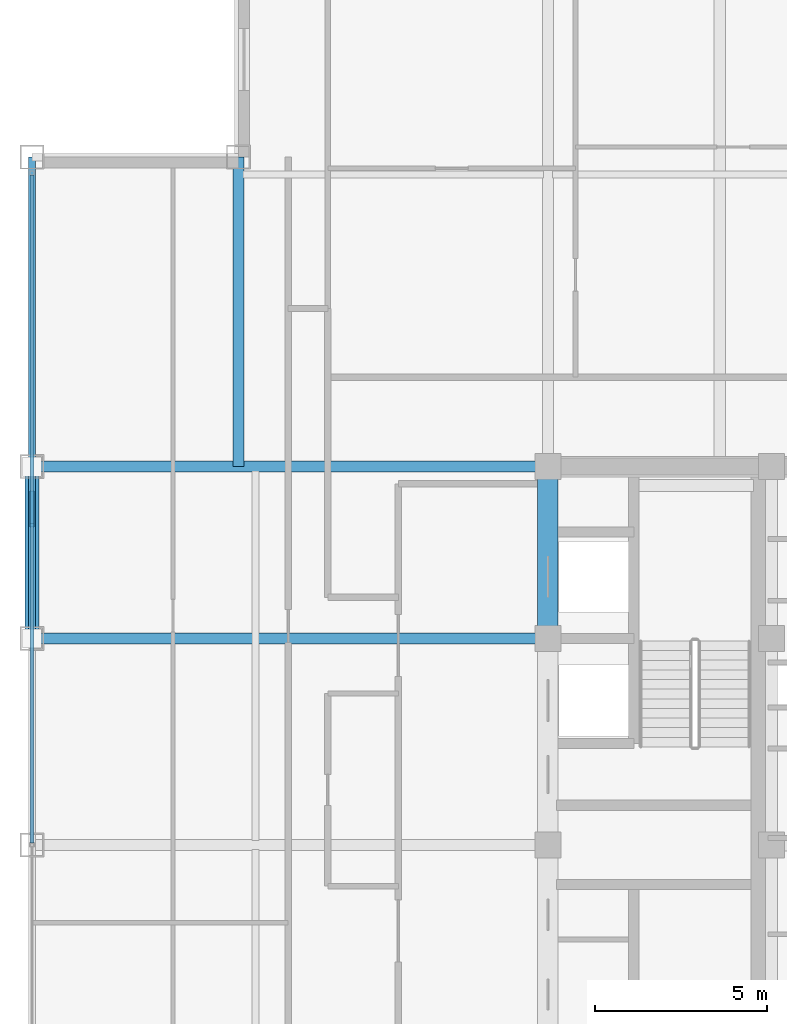
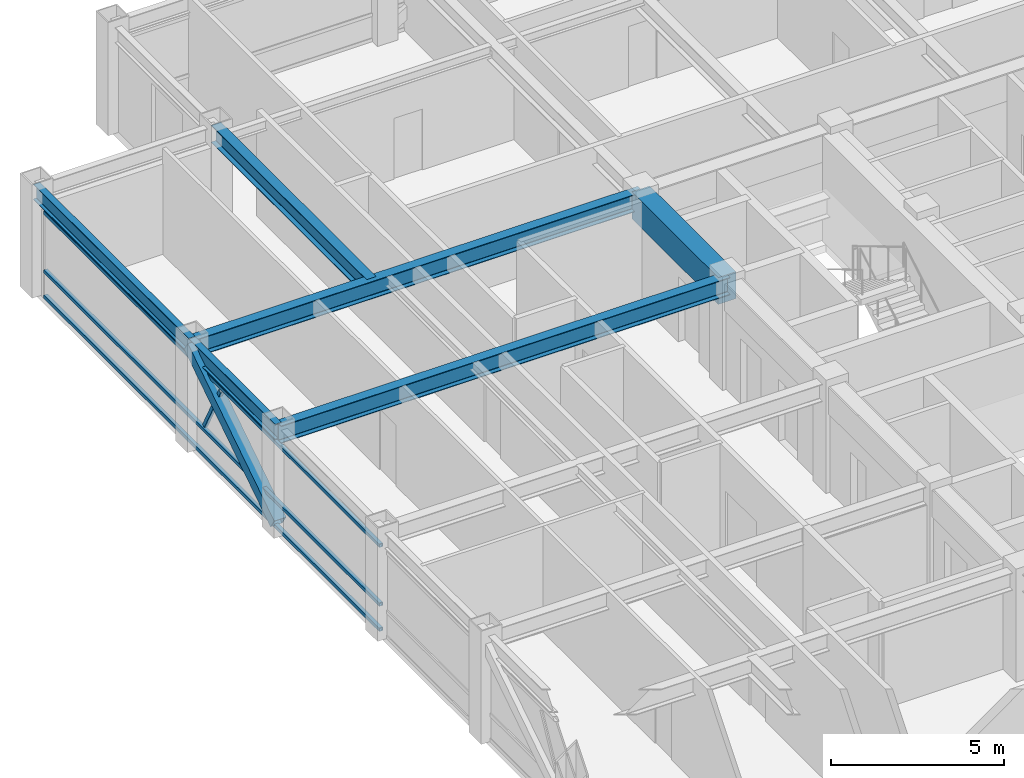
# One storey, part 13 of 29: 6 beams, 5 members, 1 element without a shape of its own.
"""IFC4 building model written with IfcOpenShell, lengths in metres."""

from ifc_helpers import new_model, si_unit, direction, frame, origin, origin_2d, place, context, subcontext, project, spatial, rectangle, hollow_rectangle, i_section, extrude, source, transform, mapped, material, material_profile, profile_set, type_object, element, aggregate, save


model = new_model("IFC4")

# Units and contexts
model_context = context("Model", 3, precision=1e-05, world=origin(), true_north=direction((0.0, 1.0)))
body_context = subcontext(model_context, "Body", "Model", "MODEL_VIEW")
ifc_project = project(units=[si_unit("LENGTHUNIT", "METRE"), si_unit("AREAUNIT", "SQUARE_METRE"), si_unit("VOLUMEUNIT", "CUBIC_METRE"), si_unit("PLANEANGLEUNIT", "RADIAN"), si_unit("MASSUNIT", "GRAM", prefix="KILO")], contexts=[model_context])

# Site, building, storey
site_placement = place(None, origin())
site = spatial("IfcSite", under=ifc_project, at=site_placement, CompositionType="ELEMENT")
building_placement = place(site_placement, origin())
building = spatial("IfcBuilding", under=site, at=building_placement, Name="Khorayat Bourse Tower", CompositionType="ELEMENT")
storey_placement = place(building_placement, frame((0.0, 0.0, 366.300048828125)))
storey = spatial("IfcBuildingStorey", under=building, at=storey_placement, Name="L87", CompositionType="ELEMENT", Elevation=366.300048828125)

# Beams
ifc_material_1 = material(Name="Concrete C60/75", Category="concrete")
ifc_material_profile_1 = material_profile(ifc_material_1, rectangle(XDim=0.60009765625, YDim=0.949951171875, at=origin_2d()), Name="RC 600x950")
ifc_profile_set_1 = profile_set([ifc_material_profile_1], Name="Concrete C60/75")
beam_type_1 = type_object("IfcBeamType", Name="BM-COUP-950", PredefinedType="BEAM", material=ifc_profile_set_1)
shared_shape_1 = source(origin(), body_context, "Body", "SweptSolid", [
    extrude(rectangle(XDim=0.60009765625, YDim=0.949951171875, at=origin_2d()), origin(), (0.0, 0.0, 1.0), 5.0),
])
beam_1_placement = place(storey_placement, frame((-11.0, 6.0, 3.264892578125), z_axis=(0.0, 1.0, 0.0), x_axis=(-1.0, 0.0, 0.0)))
element("IfcBeam", 1, at=beam_1_placement, inside=storey, type_object=beam_type_1, Name="L87 BM-COUP-950 BM-L87-CRX-04", PredefinedType="BEAM", context=body_context, shape_type="MappedRepresentation", body=[
    mapped(shared_shape_1, transform((0.0, 0.0, 0.0), scale=1.0)),
])
ifc_material_2 = material(Name="Steel ASTM A992 Grade 50", Category="steel")
ifc_material_profile_2 = material_profile(ifc_material_2, i_section(OverallWidth=0.214111328125, OverallDepth=0.549072265625, WebThickness=0.0146484375, FlangeThickness=0.023681640625, FilletRadius=0.013916015625, at=origin_2d()), Name="W530X138")
ifc_profile_set_2 = profile_set([ifc_material_profile_2], Name="Steel ASTM A992 Grade 50")
beam_type_2 = type_object("IfcBeamType", Name="BM-SPAN-530", PredefinedType="SPANDREL", material=ifc_profile_set_2)
shared_shape_2 = source(origin(), body_context, "Body", "SweptSolid", [
    extrude(i_section(OverallWidth=0.214111328125, OverallDepth=0.549072265625, WebThickness=0.0146484375, FlangeThickness=0.023681640625, FilletRadius=0.013916015625, at=origin_2d()), origin(), (0.0, 0.0, 1.0), 9.0),
])
beam_2_placement = place(storey_placement, frame((-26.0, 11.0, 3.46533203125), z_axis=(0.0, 1.0, 0.0), x_axis=(-1.0, 0.0, 0.0)))
element("IfcBeam", 2, at=beam_2_placement, inside=storey, type_object=beam_type_2, Name="L87 BM-SPAN-530 BM-L87-SPN-048", PredefinedType="SPANDREL", context=body_context, shape_type="MappedRepresentation", body=[
    mapped(shared_shape_2, transform((0.0, 0.0, 0.0), scale=1.0)),
])
shared_shape_3 = source(origin(), body_context, "Body", "SweptSolid", [
    extrude(i_section(OverallWidth=0.214111328125, OverallDepth=0.549072265625, WebThickness=0.0146484375, FlangeThickness=0.023681640625, FilletRadius=0.013916015625, at=origin_2d()), origin(), (0.0, 0.0, 1.0), 5.0),
])
beam_3_placement = place(storey_placement, frame((-26.0, 6.0, 3.46533203125), z_axis=(0.0, 1.0, 0.0), x_axis=(-1.0, 0.0, 0.0)))
element("IfcBeam", 3, at=beam_3_placement, inside=storey, type_object=beam_type_2, Name="L87 BM-SPAN-530 BM-L87-SPN-049", PredefinedType="SPANDREL", context=body_context, shape_type="MappedRepresentation", body=[
    mapped(shared_shape_3, transform((0.0, 0.0, 0.0), scale=1.0)),
])
ifc_material_profile_3 = material_profile(ifc_material_2, i_section(OverallWidth=0.324951171875, OverallDepth=0.615966796875, WebThickness=0.013916015625, FlangeThickness=0.021484375, FilletRadius=0.01611328125, at=origin_2d()), Name="W610X174")
ifc_profile_set_3 = profile_set([ifc_material_profile_3], Name="Steel ASTM A992 Grade 50")
beam_type_3 = type_object("IfcBeamType", Name="BM-GIRD-610", PredefinedType="BEAM", material=ifc_profile_set_3)
shared_shape_4 = source(origin(), body_context, "Body", "SweptSolid", [
    extrude(i_section(OverallWidth=0.324951171875, OverallDepth=0.615966796875, WebThickness=0.013916015625, FlangeThickness=0.021484375, FilletRadius=0.01611328125, at=origin_2d()), origin(), (0.0, 0.0, 1.0), 15.0),
])
for number, where, z_axis, x_axis, name in (
    (4, (-26.0, 6.0, 3.431884765625), (1.0, 0.0, 0.0), (0.0, 1.0, 0.0), "L87 BM-GIRD-610 BM-L87-RADX-073"),
    (5, (-26.0, 11.0, 3.431884765625), (1.0, 0.0, 0.0), (0.0, 1.0, 0.0), "L87 BM-GIRD-610 BM-L87-RADX-075"),
):
    element("IfcBeam", number, at=place(storey_placement, frame(where, z_axis=z_axis, x_axis=x_axis)), inside=storey, type_object=beam_type_3, Name=name, PredefinedType="BEAM", context=body_context, shape_type="MappedRepresentation", body=[
        mapped(shared_shape_4, transform((0.0, 0.0, 0.0), scale=1.0)),
    ])
shared_shape_5 = source(origin(), body_context, "Body", "SweptSolid", [
    extrude(i_section(OverallWidth=0.324951171875, OverallDepth=0.615966796875, WebThickness=0.013916015625, FlangeThickness=0.021484375, FilletRadius=0.01611328125, at=origin_2d()), origin(), (0.0, 0.0, 1.0), 9.0),
])
beam_4_placement = place(storey_placement, frame((-20.0, 11.0, 3.431884765625), z_axis=(0.0, 1.0, 0.0), x_axis=(-1.0, 0.0, 0.0)))
element("IfcBeam", 6, at=beam_4_placement, inside=storey, type_object=beam_type_3, Name="L87 BM-GIRD-610 BM-L87-CNRY-077", PredefinedType="BEAM", context=body_context, shape_type="MappedRepresentation", body=[
    mapped(shared_shape_5, transform((0.0, 0.0, 0.0), scale=1.0)),
])

# Member
ifc_material_3 = material(Name="Steel EN 10025-4 S460M", Category="steel")
ifc_material_profile_4 = material_profile(ifc_material_3, hollow_rectangle(XDim=0.39990234375, YDim=0.39990234375, WallThickness=0.02197265625, at=origin_2d()), Name="HSS 400x400x22")
ifc_profile_set_4 = profile_set([ifc_material_profile_4], Name="Steel EN 10025-4 S460M")
member_type_1 = type_object("IfcMemberType", Name="MBR-TUBE-400", PredefinedType="BRACE", material=ifc_profile_set_4)
shared_shape_6 = source(origin(), body_context, "Body", "SweptSolid", [
    extrude(hollow_rectangle(XDim=0.39990234375, YDim=0.39990234375, WallThickness=0.02197265625, at=origin_2d()), origin(), (0.0, 0.0, 1.0), 5.9580078125),
])
member_1_placement = place(storey_placement, frame((-26.0, 6.0, 0.25), z_axis=(0.0, 0.839210474455, 0.543806748364), x_axis=(-1.0, 0.0, 0.0)))
element("IfcMember", 7, at=member_1_placement, inside=storey, type_object=member_type_1, Name="L87 Perimeter Tube Brace 06", PredefinedType="BRACE", context=body_context, shape_type="MappedRepresentation", body=[
    mapped(shared_shape_6, transform((0.0, 0.0, 0.0), scale=1.0)),
])

# Curtain wall, members
ifc_material_4 = material(Name="Aluminium EN AW-6063 T6", Category="aluminium")
curtain_wall_type = type_object("IfcCurtainWallType", Name="CW-SYS-04", PredefinedType="NOTDEFINED", material=ifc_material_4)
curtain_wall_placement = place(storey_placement, origin())
curtain_wall = element("IfcCurtainWall", 8, at=curtain_wall_placement, inside=storey, type_object=curtain_wall_type, Name="L87 Curtain Wall CW-L87-W1", PredefinedType="NOTDEFINED")
ifc_material_profile_5 = material_profile(ifc_material_4, hollow_rectangle(XDim=0.1201171875, YDim=0.1201171875, WallThickness=0.0048828125, at=origin_2d()), Name="ALU 120x120x5")
ifc_profile_set_5 = profile_set([ifc_material_profile_5], Name="Aluminium EN AW-6063 T6")
member_type_2 = type_object("IfcMemberType", Name="CWM-DIAG-120", PredefinedType="MULLION", material=ifc_profile_set_5)
shared_shape_7 = source(origin(), body_context, "Body", "SweptSolid", [
    extrude(hollow_rectangle(XDim=0.1201171875, YDim=0.1201171875, WallThickness=0.0048828125, at=origin_2d()), origin(), (0.0, 0.0, 1.0), 2.0341796875),
])
member_2_placement = place(storey_placement, frame((-26.0, 10.24365234375, 1.08984375), z_axis=(0.0, -0.465696964104, 0.884944256789), x_axis=(1.0, 0.0, 0.0)))
member_2 = element("IfcMember", 9, at=member_2_placement, type_object=member_type_2, Name="CW-L87-W1 Faceted Diagonal Mullion 2", PredefinedType="MULLION", context=body_context, shape_type="MappedRepresentation", body=[
    mapped(shared_shape_7, transform((0.0, 0.0, 0.0), scale=1.0)),
])
ifc_material_profile_6 = material_profile(ifc_material_4, hollow_rectangle(XDim=0.1201171875, YDim=0.1201171875, WallThickness=0.0048828125, at=origin_2d()), Name="ALU 120x120x5")
ifc_profile_set_6 = profile_set([ifc_material_profile_6], Name="Aluminium EN AW-6063 T6")
member_type_3 = type_object("IfcMemberType", Name="CWT-HORZ-120", PredefinedType="USERDEFINED", material=ifc_profile_set_6)
shared_shape_8 = source(origin(), body_context, "Body", "SweptSolid", [
    extrude(hollow_rectangle(XDim=0.1201171875, YDim=0.1201171875, WallThickness=0.0048828125, at=origin_2d()), origin(), (0.0, 0.0, 1.0), 19.419921875),
])
member_3_placement = place(storey_placement, frame((-26.0, 0.06005859375, 0.06005859375), z_axis=(0.0, 1.0, 0.0), x_axis=(-1.0, 0.0, 0.0)))
member_3 = element("IfcMember", 10, at=member_3_placement, type_object=member_type_3, Name="CW-L87-W1 Horizontal Transom 2-1", ObjectType="TRANSOM", PredefinedType="USERDEFINED", context=body_context, shape_type="MappedRepresentation", body=[
    mapped(shared_shape_8, transform((0.0, 0.0, 0.0), scale=1.0)),
])
member_4_placement = place(storey_placement, frame((-26.0, 0.06005859375, 0.949951171875), z_axis=(0.0, 1.0, 0.0), x_axis=(-1.0, 0.0, 0.0)))
member_4 = element("IfcMember", 11, at=member_4_placement, type_object=member_type_3, Name="CW-L87-W1 Horizontal Transom 2-2", ObjectType="TRANSOM", PredefinedType="USERDEFINED", context=body_context, shape_type="MappedRepresentation", body=[
    mapped(shared_shape_8, transform((0.0, 0.0, 0.0), scale=1.0)),
])
member_5_placement = place(storey_placement, frame((-26.0, 0.06005859375, 3.030029296875), z_axis=(0.0, 1.0, 0.0), x_axis=(-1.0, 0.0, 0.0)))
member_5 = element("IfcMember", 12, at=member_5_placement, type_object=member_type_3, Name="CW-L87-W1 Horizontal Transom 2-3", ObjectType="TRANSOM", PredefinedType="USERDEFINED", context=body_context, shape_type="MappedRepresentation", body=[
    mapped(shared_shape_8, transform((0.0, 0.0, 0.0), scale=1.0)),
])
aggregate(curtain_wall, [member_3, member_4, member_5, member_2])

save(model, "model.ifc")
